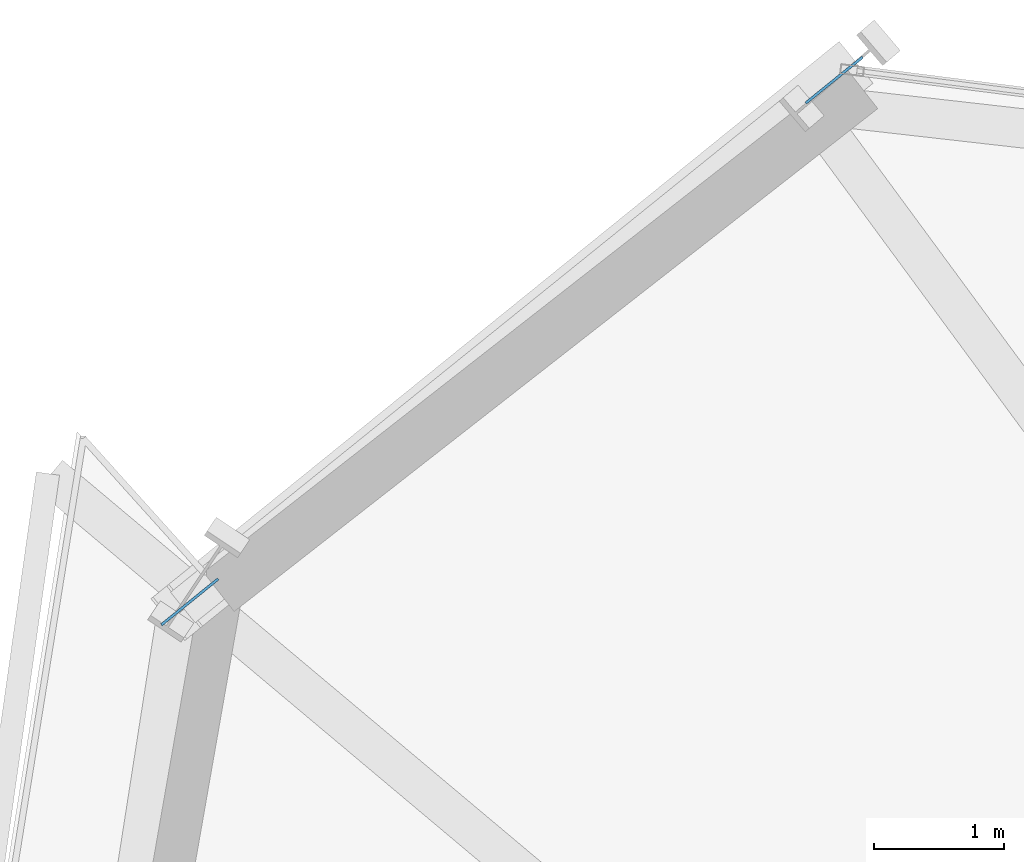
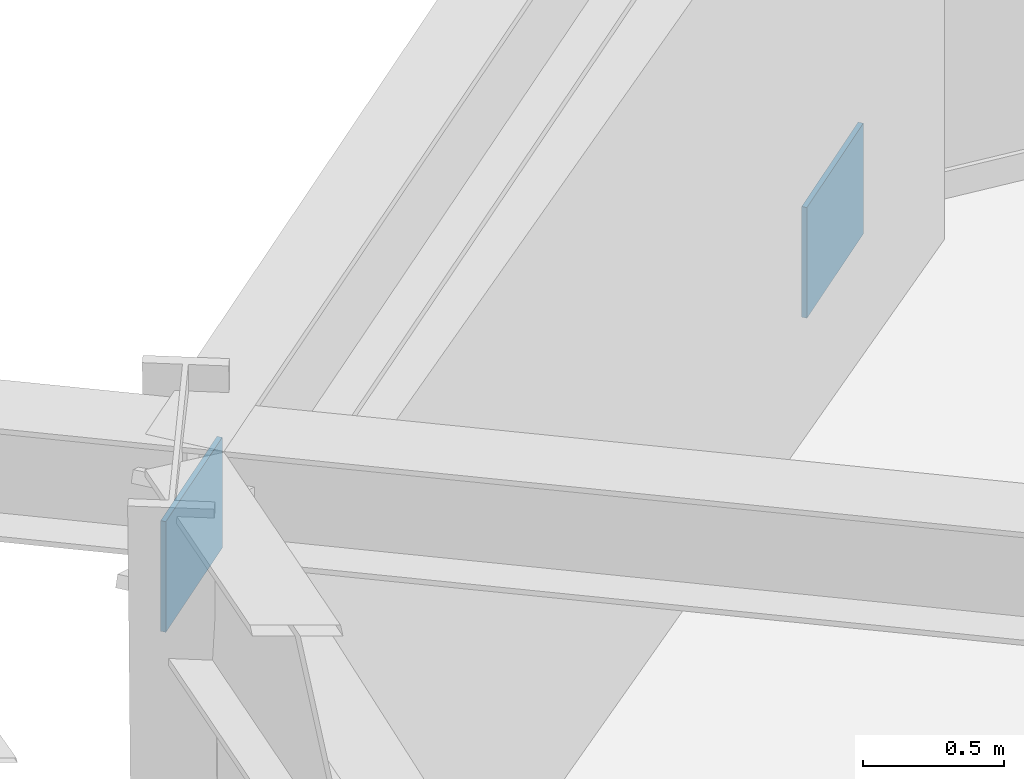
# One storey, part 14 of 22: 2 plates.
"""IFC4 building model written with IfcOpenShell, lengths in metres."""

from ifc_helpers import new_model, si_unit, direction, frame, origin, origin_2d, place, context, subcontext, project, spatial, rectangle, extrude, source, transform, mapped, material, type_object, element, save


model = new_model("IFC4")

# Units and contexts
model_context = context("Model", 3, precision=1e-05, world=origin(), true_north=direction((0.0, 1.0)))
body_context = subcontext(model_context, "Body", "Model", "MODEL_VIEW")
ifc_project = project(units=[si_unit("LENGTHUNIT", "METRE"), si_unit("AREAUNIT", "SQUARE_METRE"), si_unit("VOLUMEUNIT", "CUBIC_METRE"), si_unit("PLANEANGLEUNIT", "RADIAN"), si_unit("MASSUNIT", "GRAM", prefix="KILO")], contexts=[model_context])

# Site, building, storey
site_placement = place(None, origin())
site = spatial("IfcSite", under=ifc_project, at=site_placement, CompositionType="ELEMENT")
building_placement = place(site_placement, origin())
building = spatial("IfcBuilding", under=site, at=building_placement, Name="Olszyna Solenne Hotel", CompositionType="ELEMENT")
storey_placement = place(building_placement, frame((0.0, 0.0, 57.699951171875)))
storey = spatial("IfcBuildingStorey", under=building, at=storey_placement, Name="L14", CompositionType="ELEMENT", Elevation=57.699951171875)

# Plates
ifc_material = material(Name="Steel S355J2", Category="steel")
plate_type = type_object("IfcPlateType", Name="GP-ND2", PredefinedType="USERDEFINED", material=ifc_material)
shared_shape = source(origin(), body_context, "Body", "SweptSolid", [
    extrude(rectangle(XDim=0.56005859375, YDim=0.02001953125, at=origin_2d()), origin(), (0.0, 0.0, 1.0), 0.47998046875),
])
for number, where, z_axis, x_axis, name in (
    (1, (23.736083984375, 46.45703125, -0.173583984375), (0.0, 0.0, 1.0), (-0.777145961457, -0.62932039105, 0.0), "Brace end connection gusset plate GP-ND2 EP-BR-L14-2-1"),
    (2, (18.796875, 42.45751953125, 2.61865234375), (0.0, 0.0, 1.0), (-0.777145961457, -0.62932039105, 0.0), "Brace end connection gusset plate GP-ND2 EP-BR-L14-2-2"),
):
    element("IfcPlate", number, at=place(storey_placement, frame(where, z_axis=z_axis, x_axis=x_axis)), inside=storey, type_object=plate_type, Name=name, ObjectType="GUSSET_PLATE", PredefinedType="USERDEFINED", context=body_context, shape_type="MappedRepresentation", body=[
        mapped(shared_shape, transform((0.0, 0.0, 0.0), x_axis=(1.0, 0.0, 0.0), y_axis=(0.0, 1.0, 0.0), z_axis=(0.0, 0.0, 1.0), scale=1.0)),
    ])

save(model, "model.ifc")
